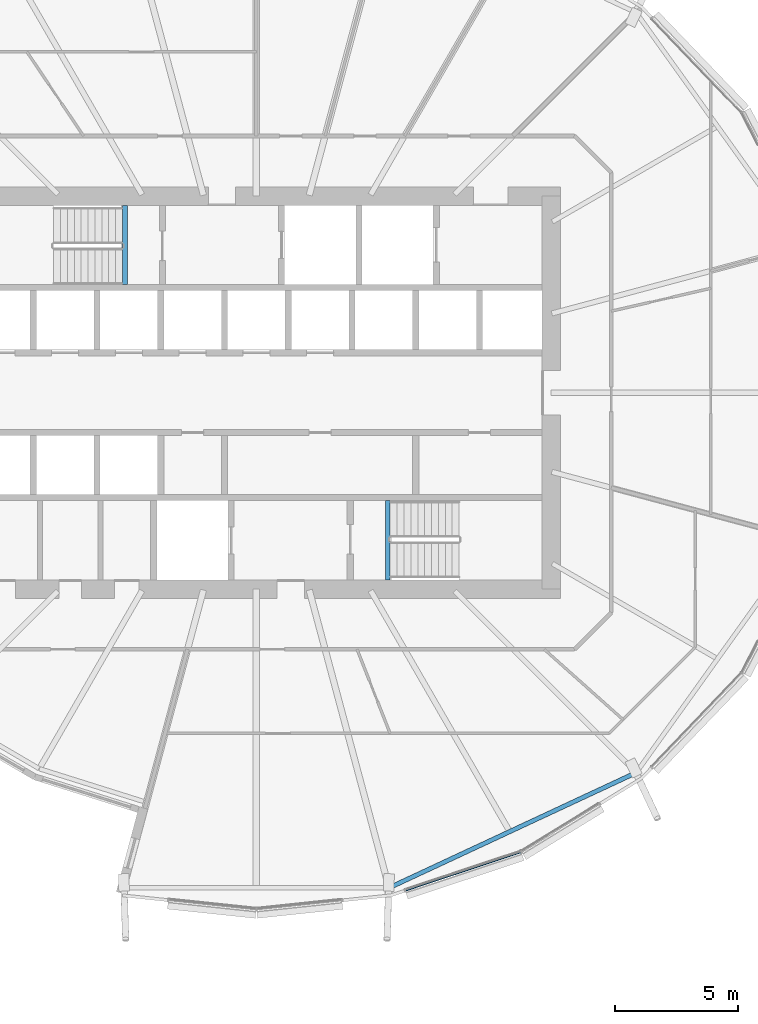
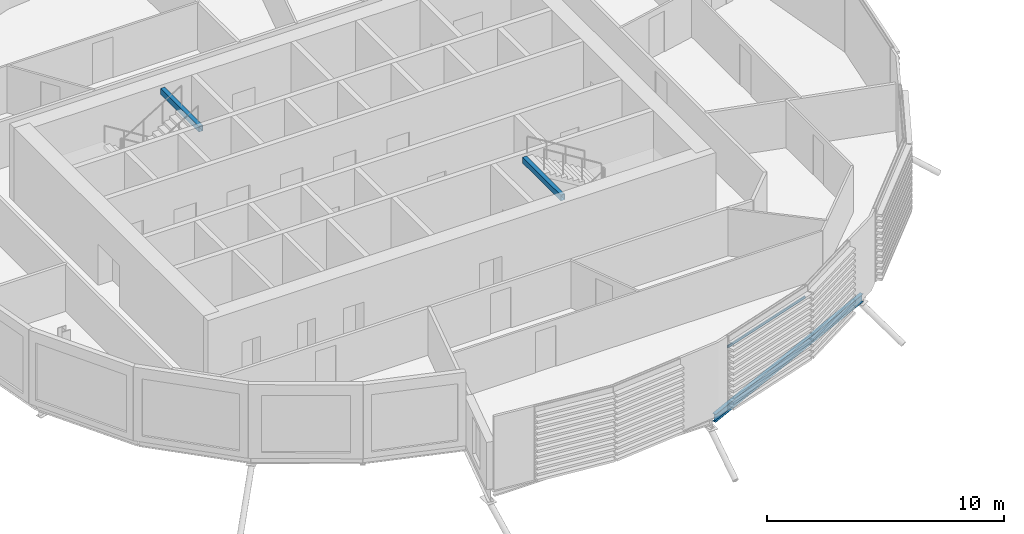
# One storey, part 6 of 39: 3 beams, 1 member, 1 element without a shape of its own.
"""IFC4 building model written with IfcOpenShell, lengths in metres."""

import ifcopenshell
import ifcopenshell.guid

model = None  # the IFC model being written
_history = None  # IfcOwnerHistory: only IFC2X3 demands one
_inside = {}  # id of a spatial element -> (the spatial element, [elements in it])
_under = {}  # id of a project, library or spatial element -> (it, [spatial elements below it])
_declared = {}  # id of a project -> (the project, [libraries it declares])
_typed = {}  # id of a type object -> (the type object, [elements of that type])
_made_of = {}  # id of a material, layer set ... -> (it, [elements and type objects made of it])


def new_model(schema):
    """Start an empty IFC model of exactly this schema.

    Asked for "IFC4X3", IfcOpenShell would pick the latest addendum, in which some entities
    have other attributes; the version numbers below select the first issue.
    IFC2X3 requires an IfcOwnerHistory on every rooted entity: one is made here for all.
    """
    global model, _history
    if schema == "IFC4X3":
        model = ifcopenshell.file(schema_version=(4, 3, 0, 0))
    else:
        model = ifcopenshell.file(schema=schema)
    _inside.clear()
    _under.clear()
    _declared.clear()
    _typed.clear()
    _made_of.clear()
    _history = None
    if model.schema == "IFC2X3":
        org = make("IfcOrganization", Name="unknown")
        user = make(
            "IfcPersonAndOrganization",
            ThePerson=make("IfcPerson", FamilyName="unknown"),
            TheOrganization=org,
        )
        app = make(
            "IfcApplication",
            ApplicationDeveloper=org,
            Version="unknown",
            ApplicationFullName="unknown",
            ApplicationIdentifier="unknown",
        )
        _history = make(
            "IfcOwnerHistory",
            OwningUser=user,
            OwningApplication=app,
            ChangeAction="ADDED",
            CreationDate=0,
        )
    return model


def make(cls, **values):
    """One entity of the class cls with the attributes given. An attribute that is None is left unset."""
    return model.create_entity(
        cls, **{name: value for name, value in values.items() if value is not None}
    )


def rooted(cls, **values):
    """An entity with a GlobalId (a new one), such as an element, a storey or a relation."""
    return make(cls, GlobalId=ifcopenshell.guid.new(), OwnerHistory=_history, **values)


def si_unit(unit_type, name, prefix=None):
    """IfcSIUnit, for example si_unit("LENGTHUNIT", "METRE", prefix="MILLI")."""
    return make("IfcSIUnit", UnitType=unit_type, Prefix=prefix, Name=name)


def assignment(units):
    """IfcUnitAssignment: the units of a project."""
    return None if units is None else make("IfcUnitAssignment", Units=units)


def point(xyz):
    """IfcCartesianPoint."""
    return None if xyz is None else make("IfcCartesianPoint", Coordinates=xyz)


def direction(xyz):
    """IfcDirection."""
    return None if xyz is None else make("IfcDirection", DirectionRatios=xyz)


def frame(location, z_axis=None, x_axis=None):
    """IfcAxis2Placement3D, a coordinate frame: its origin and axes. An axis left out is left unset."""
    return make(
        "IfcAxis2Placement3D",
        Location=point(location),
        Axis=direction(z_axis),
        RefDirection=direction(x_axis),
    )


def frame_2d(location, x_axis=None):
    """IfcAxis2Placement2D, a coordinate frame in the plane: its origin and x axis."""
    return make(
        "IfcAxis2Placement2D", Location=point(location), RefDirection=direction(x_axis)
    )


def origin():
    """The frame at (0, 0, 0) with its axes left unset."""
    return frame((0.0, 0.0, 0.0))


def origin_2d():
    """The frame at (0, 0) in the plane with its x axis left unset."""
    return frame_2d((0.0, 0.0))


def place(relative_to, where):
    """IfcLocalPlacement: puts the frame where relative to a parent placement (None: the world)."""
    return make(
        "IfcLocalPlacement", PlacementRelTo=relative_to, RelativePlacement=where
    )


def context(
    kind, dimensions, precision=None, world=None, true_north=None, identifier=None
):
    """IfcGeometricRepresentationContext, for example the 3D "Model" context."""
    return make(
        "IfcGeometricRepresentationContext",
        ContextIdentifier=identifier,
        ContextType=kind,
        CoordinateSpaceDimension=dimensions,
        Precision=precision,
        WorldCoordinateSystem=world,
        TrueNorth=true_north,
    )


def subcontext(parent, identifier, kind, view, scale=None):
    """IfcGeometricRepresentationSubContext, for example "Body" below "Model"."""
    return make(
        "IfcGeometricRepresentationSubContext",
        ContextIdentifier=identifier,
        ContextType=kind,
        ParentContext=parent,
        TargetScale=scale,
        TargetView=view,
    )


def project(units=None, contexts=None):
    """IfcProject with its units and contexts."""
    return rooted(
        "IfcProject",
        Name="project",
        RepresentationContexts=contexts,
        UnitsInContext=assignment(units),
    )


def spatial(cls, under=None, at=None, **own):
    """A site, building, storey or space (cls), placed at a placement, below another one or the project."""
    s = rooted(cls, ObjectPlacement=at, **own)
    if under is not None:
        _under.setdefault(under.id(), (under, []))[1].append(s)
    return s


def profile(cls, at=None, kind="AREA", **sizes):
    """A parametric profile (cls). Its sizes go by their IFC names, for example OverallWidth=200.0."""
    return make(cls, ProfileType=kind, Position=at, **sizes)


def rectangle(**sizes):
    """IfcRectangleProfileDef."""
    return profile("IfcRectangleProfileDef", **sizes)


def hollow_rectangle(**sizes):
    """IfcRectangleHollowProfileDef."""
    return profile("IfcRectangleHollowProfileDef", **sizes)


def i_section(**sizes):
    """IfcIShapeProfileDef."""
    return profile("IfcIShapeProfileDef", **sizes)


def extrude(swept, where, along, depth):
    """IfcExtrudedAreaSolid: the profile swept, set in the frame where, extruded along a direction by depth."""
    return make(
        "IfcExtrudedAreaSolid",
        SweptArea=swept,
        Position=where,
        ExtrudedDirection=direction(along),
        Depth=depth,
    )


def shape(context_of_items, identifier, shape_type, items):
    """IfcShapeRepresentation: the items that make up one representation, for example the "Body"."""
    return make(
        "IfcShapeRepresentation",
        ContextOfItems=context_of_items,
        RepresentationIdentifier=identifier,
        RepresentationType=shape_type,
        Items=items,
    )


def material(Name=None, Category=None):
    """IfcMaterial."""
    return make("IfcMaterial", Name=Name, Category=Category)


def material_profile(
    of_material, cross_section, Name=None, Category=None, Priority=None
):
    """IfcMaterialProfile: a cross section and its material."""
    return make(
        "IfcMaterialProfile",
        Name=Name,
        Material=of_material,
        Profile=cross_section,
        Priority=Priority,
        Category=Category,
    )


def profile_set(profiles, Name=None, composite=None):
    """IfcMaterialProfileSet."""
    return make(
        "IfcMaterialProfileSet",
        Name=Name,
        MaterialProfiles=profiles,
        CompositeProfile=composite,
    )


def made_of(thing, what):
    """Note that an element or type object is made of a material, layer set ...; save() writes the relation."""
    if what is not None:
        _made_of.setdefault(what.id(), (what, []))[1].append(thing)
    return thing


def type_object(cls, material=None, **own):
    """A type object (cls), such as IfcWallType, which elements share."""
    return made_of(rooted(cls, **own), material)


def element(
    cls,
    number,
    at=None,
    inside=None,
    cuts=None,
    type_object=None,
    material=None,
    context=None,
    identifier="Body",
    shape_type=None,
    held_by="IfcProductDefinitionShape",
    body=None,
    shapes=None,
    **own,
):
    """One element of the class cls, such as IfcWall. Its Tag is "e" and its number.

    at: its placement. inside: the storey or other place that contains it. cuts: it is an
    opening in that element (IfcRelVoidsElement). A single representation is given by context,
    identifier, shape_type and body (its items); several are given by shapes. held_by: the class
    of the entity that holds the representations. save() writes the other relations.
    """
    e = rooted(cls, Tag="e%d" % number, ObjectPlacement=at, **own)
    if body is not None:
        shapes = [shape(context, identifier, shape_type, body)]
    if shapes is not None:
        e.Representation = make(held_by, Representations=shapes)
    if inside is not None:
        _inside.setdefault(inside.id(), (inside, []))[1].append(e)
    if cuts is not None:
        rooted(
            "IfcRelVoidsElement", RelatingBuildingElement=cuts, RelatedOpeningElement=e
        )
    if type_object is not None:
        _typed.setdefault(type_object.id(), (type_object, []))[1].append(e)
    return made_of(e, material)


def aggregate(whole, parts):
    """IfcRelAggregates: a whole, such as a stair, and the parts it consists of."""
    return rooted("IfcRelAggregates", RelatingObject=whole, RelatedObjects=parts)


def save(model, path):
    """Write the relations noted so far, then the file.

    IfcRelAggregates (storeys below a building ...), IfcRelContainedInSpatialStructure (elements
    in a storey), IfcRelDefinesByType, IfcRelAssociatesMaterial and IfcRelDeclares: one each for
    every whole, place, type object, material and project.
    """
    for whole, parts in _under.values():
        aggregate(whole, parts)
    for where, things in _inside.values():
        rooted(
            "IfcRelContainedInSpatialStructure",
            RelatedElements=things,
            RelatingStructure=where,
        )
    for kind, things in _typed.values():
        rooted("IfcRelDefinesByType", RelatedObjects=things, RelatingType=kind)
    for what, things in _made_of.values():
        rooted("IfcRelAssociatesMaterial", RelatedObjects=things, RelatingMaterial=what)
    for by, libraries in _declared.values():
        rooted("IfcRelDeclares", RelatingContext=by, RelatedDefinitions=libraries)
    model.write(path)


model = new_model("IFC4")

# Units and contexts
model_context = context("Model", 3, precision=1e-05, world=origin(), true_north=direction((0.0, 1.0)))
body_context = subcontext(model_context, "Body", "Model", "MODEL_VIEW")
ifc_project = project(units=[si_unit("LENGTHUNIT", "METRE"), si_unit("AREAUNIT", "SQUARE_METRE"), si_unit("VOLUMEUNIT", "CUBIC_METRE"), si_unit("PLANEANGLEUNIT", "RADIAN"), si_unit("MASSUNIT", "GRAM", prefix="KILO")], contexts=[model_context])

# Site, building, storey
site_placement = place(None, origin())
site = spatial("IfcSite", under=ifc_project, at=site_placement, CompositionType="ELEMENT")
building_placement = place(site_placement, origin())
building = spatial("IfcBuilding", under=site, at=building_placement, Name="Rimbun Link Towers", CompositionType="ELEMENT")
storey_placement = place(building_placement, frame((0.0, 0.0, 96.800048828125)))
storey = spatial("IfcBuildingStorey", under=building, at=storey_placement, Name="L23", CompositionType="ELEMENT", Elevation=96.800048828125)

# Curtain wall, member
ifc_material_1 = material(Name="Aluminium 6063-T6 and low-iron glass", Category="aluminium")
curtain_wall_type = type_object("IfcCurtainWallType", Name="CW1-Z2 unitised vision wall (zone 2)", PredefinedType="NOTDEFINED", material=ifc_material_1)
curtain_wall_placement = place(storey_placement, origin())
curtain_wall = element("IfcCurtainWall", 1, at=curtain_wall_placement, inside=storey, type_object=curtain_wall_type, Name="CW1 L23 T1", PredefinedType="NOTDEFINED")
ifc_material_2 = material(Name="Aluminium 6063-T6", Category="aluminium")
ifc_material_profile_1 = material_profile(ifc_material_2, rectangle(XDim=0.06005859375, YDim=0.1201171875, at=origin_2d()), Name="TRANSOM 60X120")
ifc_profile_set_1 = profile_set([ifc_material_profile_1], Name="Aluminium 6063-T6")
member_type = type_object("IfcMemberType", Name="CW1 transom 60X120", PredefinedType="USERDEFINED", material=ifc_profile_set_1)
member_placement = place(storey_placement, frame((-20.9951171875, -18.7099609375, 3.199951171875), z_axis=(-0.949232441731, -0.314575541906, 0.0), x_axis=(0.314575541906, -0.949232441731, 0.0)))
member = element("IfcMember", 2, at=member_placement, type_object=member_type, Name="CW1 transom", ObjectType="TRANSOM", PredefinedType="USERDEFINED", context=body_context, shape_type="SweptSolid", body=[
    extrude(rectangle(XDim=0.06005859375, YDim=0.1201171875, at=origin_2d()), origin(), (0.0, 0.0, 1.0), 4.921875),
])
aggregate(curtain_wall, [member])

# Beams
ifc_material_3 = material(Name="Steel S355J2", Category="steel")
ifc_material_profile_2 = material_profile(ifc_material_3, hollow_rectangle(XDim=0.199951171875, YDim=0.300048828125, WallThickness=0.011962890625, at=origin_2d()), Name="BOX 300x200x12")
ifc_profile_set_2 = profile_set([ifc_material_profile_2], Name="Steel S355J2")
beam_type_1 = type_object("IfcBeamType", Name="Stair trimmer beam BOX 300x200x12", PredefinedType="BEAM", material=ifc_profile_set_2)
for number, where, z_axis, x_axis, name in (
    (3, (-37.10009765625, 7.625, 3.489990234375), (0.0, -1.0, 0.0), (1.0, 0.0, 0.0), "L23 ST1 stair beam 1"),
    (4, (-26.39990234375, -7.625, 3.489990234375), (0.0, 1.0, 0.0), (-1.0, 0.0, 0.0), "L23 ST2 stair beam 1"),
):
    element("IfcBeam", number, at=place(storey_placement, frame(where, z_axis=z_axis, x_axis=x_axis)), inside=storey, type_object=beam_type_1, Name=name, PredefinedType="BEAM", context=body_context, shape_type="SweptSolid", body=[
        extrude(hollow_rectangle(XDim=0.199951171875, YDim=0.300048828125, WallThickness=0.011962890625, at=origin_2d()), origin(), (0.0, 0.0, 1.0), 3.22509765625),
    ])
ifc_material_4 = material(Name="Steel S355J2", Category="steel")
ifc_material_profile_3 = material_profile(ifc_material_4, i_section(OverallWidth=0.177978515625, OverallDepth=0.406494140625, WebThickness=0.0078125, FlangeThickness=0.0126953125, at=origin_2d()), Name="UB 406x178x60")
ifc_profile_set_3 = profile_set([ifc_material_profile_3], Name="Steel S355J2")
beam_type_2 = type_object("IfcBeamType", Name="UB 406x178x60", PredefinedType="BEAM", material=ifc_profile_set_3)
beam_placement = place(storey_placement, frame((-26.231201171875, -20.10205078125, -0.36328125), z_axis=(0.906379422837, 0.422464604266, 0.0), x_axis=(-0.422464604266, 0.906379422837, 0.0)))
element("IfcBeam", 5, at=beam_placement, inside=storey, type_object=beam_type_2, Name="Edge beam T1 L23 19-21", PredefinedType="BEAM", context=body_context, shape_type="SweptSolid", body=[
    extrude(i_section(OverallWidth=0.177978515625, OverallDepth=0.406494140625, WebThickness=0.0078125, FlangeThickness=0.0126953125, at=origin_2d()), origin(), (0.0, 0.0, 1.0), 10.862060546875),
])

save(model, "model.ifc")
